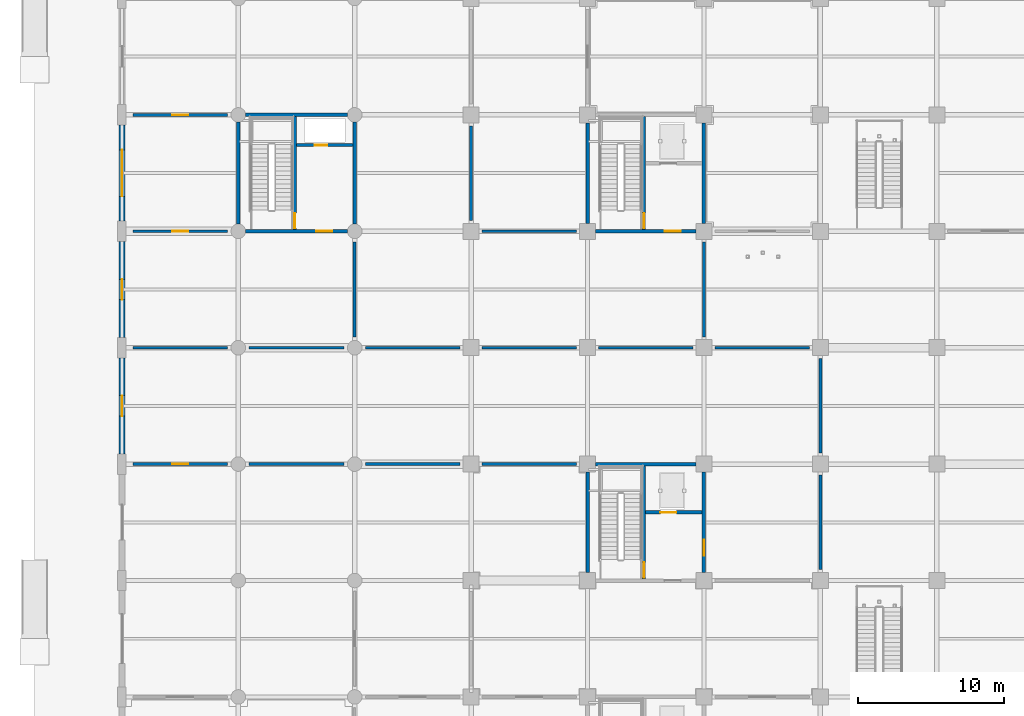
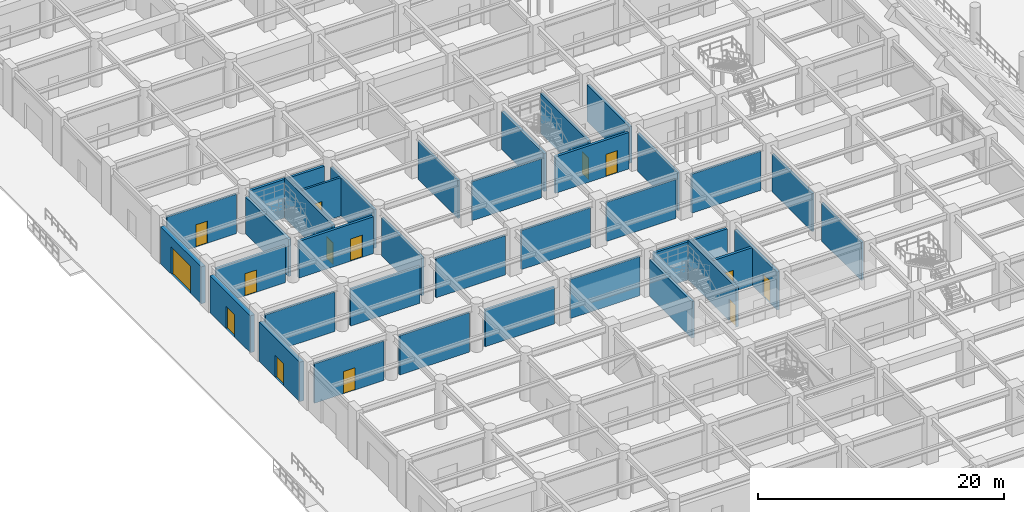
# One storey, part 78 of 125: 36 walls, 14 doors, 14 openings.
"""IFC4 building model written with IfcOpenShell, lengths in metres."""

from ifc_helpers import new_model, si_unit, direction, frame, frame_2d, origin, place, context, subcontext, project, spatial, rectangle, extrude, material, layer, layer_set, type_object, element, fill, save


model = new_model("IFC4")

# Units and contexts
model_context = context("Model", 3, precision=1e-05, world=origin(), true_north=direction((0.0, 1.0)))
body_context = subcontext(model_context, "Body", "Model", "MODEL_VIEW")
ifc_project = project(units=[si_unit("LENGTHUNIT", "METRE"), si_unit("AREAUNIT", "SQUARE_METRE"), si_unit("VOLUMEUNIT", "CUBIC_METRE"), si_unit("PLANEANGLEUNIT", "RADIAN"), si_unit("MASSUNIT", "GRAM", prefix="KILO")], contexts=[model_context])

# Site, building, storey
site_placement = place(None, origin())
site = spatial("IfcSite", under=ifc_project, at=site_placement, CompositionType="ELEMENT")
building_placement = place(site_placement, origin())
building = spatial("IfcBuilding", under=site, at=building_placement, Name="Haebicheon Civic Stadium", CompositionType="ELEMENT")
storey_placement = place(building_placement, origin())
storey = spatial("IfcBuildingStorey", under=building, at=storey_placement, Name="L01", CompositionType="ELEMENT", Elevation=0.0)

# Walls
ifc_material_1 = material(Name="Concrete C40/50", Category="concrete")
ifc_layer_1 = layer(ifc_material_1, 0.239990234375, Name="Concrete C40/50")
ifc_layer_set_1 = layer_set([ifc_layer_1], Name="Concrete C40/50")
wall_type_1 = type_object("IfcWallType", Name="CW-SHR-240", PredefinedType="SHEAR", material=ifc_layer_set_1)
wall_1_placement = place(storey_placement, frame((32.550048828125, 64.0, 0.0), z_axis=(0.0, 0.0, 1.0), x_axis=(1.0, 0.0, 0.0)))
element("IfcWall", 1, at=wall_1_placement, inside=storey, type_object=wall_type_1, material=ifc_layer_set_1, Name="KC-02 L01 north core shear wall", PredefinedType="SHEAR", context=body_context, shape_type="SweptSolid", body=[
    extrude(rectangle(XDim=6.89990234375, YDim=0.239990234375, at=frame_2d((3.449951171875, 0.0))), origin(), (0.0, 0.0, 1.0), 3.77001953125),
])
wall_2_placement = place(storey_placement, frame((32.0, 56.550048828125, 0.0), z_axis=(0.0, 0.0, 1.0), x_axis=(0.0, 1.0, 0.0)))
element("IfcWall", 2, at=wall_2_placement, inside=storey, type_object=wall_type_1, material=ifc_layer_set_1, Name="KC-02 L01 west core shear wall", PredefinedType="SHEAR", context=body_context, shape_type="SweptSolid", body=[
    extrude(rectangle(XDim=6.89990234375, YDim=0.239990234375, at=frame_2d((3.449951171875, 0.0))), origin(), (0.0, 0.0, 1.0), 3.6201171875),
])

# Wall, opening, door
wall_3_placement = place(storey_placement, frame((40.0, 56.550048828125, 0.0), z_axis=(0.0, 0.0, 1.0), x_axis=(0.0, 1.0, 0.0)))
wall_3 = element("IfcWall", 3, at=wall_3_placement, inside=storey, type_object=wall_type_1, material=ifc_layer_set_1, Name="KC-02 L01 east core shear wall", PredefinedType="SHEAR", context=body_context, shape_type="SweptSolid", body=[
    extrude(rectangle(XDim=6.89990234375, YDim=0.239990234375, at=frame_2d((3.449951171875, 0.0))), origin(), (0.0, 0.0, 1.0), 3.77001953125),
])
opening_1_placement = place(wall_3_placement, frame((1.14990234375, 0.0, 0.0)))
opening_1 = element("IfcOpeningElement", 4, at=opening_1_placement, cuts=wall_3, Name="Opening D-L01-KC-02-PXP", PredefinedType="OPENING", context=body_context, shape_type="SweptSolid", body=[
    extrude(rectangle(XDim=1.10009765625, YDim=2.199951171875, at=frame_2d((0.550048828125, 1.10009765625))), frame((0.0, 0.1298828125, 0.0), z_axis=(0.0, -1.0, 0.0), x_axis=(1.0, 0.0, 0.0)), (0.0, 0.0, 1.0), 0.260009765625),
])
ifc_material_2 = material(Name="Galvanised painted steel SM355", Category="steel")
door_type_1 = type_object("IfcDoorType", Name="ID-FD-1100", OperationType="NOTDEFINED", PredefinedType="DOOR", material=ifc_material_2)
door_1_placement = place(opening_1_placement, origin())
door_1 = element("IfcDoor", 5, at=door_1_placement, inside=storey, type_object=door_type_1, material=ifc_material_2, Name="L01 KC-02 protected exit passage fire door", OperationType="SINGLE_SWING_RIGHT", OverallHeight=2.199951171875, OverallWidth=1.10009765625, PredefinedType="DOOR", context=body_context, shape_type="SweptSolid", body=[
    extrude(rectangle(XDim=1.10009765625, YDim=2.199951171875, at=frame_2d((0.550048828125, 1.10009765625))), frame((0.0, 0.02490234375, 0.0), z_axis=(0.0, -1.0, 0.0), x_axis=(1.0, 0.0, 0.0)), (0.0, 0.0, 1.0), 0.050048828125),
])
fill(opening_1, door_1)

wall_4_placement = place(storey_placement, frame((35.8798828125, 56.1201171875, 0.0), z_axis=(0.0, 0.0, 1.0), x_axis=(0.0, 1.0, 0.0)))
wall_4 = element("IfcWall", 6, at=wall_4_placement, inside=storey, type_object=wall_type_1, material=ifc_layer_set_1, Name="KC-02 L01 stair-lobby dividing shear wall", PredefinedType="SHEAR", context=body_context, shape_type="SweptSolid", body=[
    extrude(rectangle(XDim=7.759765625, YDim=0.239990234375, at=frame_2d((3.8798828125, 0.0))), origin(), (0.0, 0.0, 1.0), 3.969970703125),
])
opening_2_placement = place(wall_4_placement, frame((0.080078125, 0.0, 0.0)))
opening_2 = element("IfcOpeningElement", 7, at=opening_2_placement, cuts=wall_4, Name="Opening D-L01-KC-02-STR", PredefinedType="OPENING", context=body_context, shape_type="SweptSolid", body=[
    extrude(rectangle(XDim=1.050048828125, YDim=2.14990234375, at=frame_2d((0.52490234375, 1.074951171875))), frame((0.0, 0.1298828125, 0.0), z_axis=(0.0, -1.0, 0.0), x_axis=(1.0, 0.0, 0.0)), (0.0, 0.0, 1.0), 0.260009765625),
])
ifc_material_3 = material(Name="Galvanised painted steel SM355", Category="steel")
door_type_2 = type_object("IfcDoorType", Name="ID-FD-1050", OperationType="NOTDEFINED", PredefinedType="DOOR", material=ifc_material_3)
door_2_placement = place(opening_2_placement, origin())
door_2 = element("IfcDoor", 8, at=door_2_placement, inside=storey, type_object=door_type_2, material=ifc_material_3, Name="L01 ST-02 stairwell escape door", OperationType="SINGLE_SWING_LEFT", OverallHeight=2.14990234375, OverallWidth=1.050048828125, PredefinedType="DOOR", context=body_context, shape_type="SweptSolid", body=[
    extrude(rectangle(XDim=1.050048828125, YDim=2.14990234375, at=frame_2d((0.52490234375, 1.074951171875))), frame((0.0, 0.02490234375, 0.0), z_axis=(0.0, -1.0, 0.0), x_axis=(1.0, 0.0, 0.0)), (0.0, 0.0, 1.0), 0.050048828125),
])
fill(opening_2, door_2)

wall_5_placement = place(storey_placement, frame((36.0, 60.679931640625, 0.0), z_axis=(0.0, 0.0, 1.0), x_axis=(1.0, 0.0, 0.0)))
wall_5 = element("IfcWall", 9, at=wall_5_placement, inside=storey, type_object=wall_type_1, material=ifc_layer_set_1, Name="KC-02 L01 lift shaft front wall", PredefinedType="SHEAR", context=body_context, shape_type="SweptSolid", body=[
    extrude(rectangle(XDim=3.8798828125, YDim=0.239990234375, at=frame_2d((1.93994140625, 0.0))), origin(), (0.0, 0.0, 1.0), 3.77001953125),
])
opening_3_placement = place(wall_5_placement, frame((1.0, 0.0, 0.0)))
opening_3 = element("IfcOpeningElement", 10, at=opening_3_placement, cuts=wall_5, Name="Opening LD-02-L01", PredefinedType="OPENING", context=body_context, shape_type="SweptSolid", body=[
    extrude(rectangle(XDim=1.10009765625, YDim=2.14990234375, at=frame_2d((0.550048828125, 1.074951171875))), frame((0.0, 0.1298828125, 0.0), z_axis=(0.0, -1.0, 0.0), x_axis=(1.0, 0.0, 0.0)), (0.0, 0.0, 1.0), 0.260009765625),
])
ifc_material_4 = material(Name="Stainless steel 316", Category="steel")
door_type_3 = type_object("IfcDoorType", Name="ID-LD-1100", OperationType="NOTDEFINED", PredefinedType="DOOR", material=ifc_material_4)
door_3_placement = place(opening_3_placement, origin())
door_3 = element("IfcDoor", 11, at=door_3_placement, inside=storey, type_object=door_type_3, material=ifc_material_4, Name="LF-02 lift landing sliding door L01", OperationType="SLIDING_TO_LEFT", OverallHeight=2.14990234375, OverallWidth=1.10009765625, PredefinedType="DOOR", context=body_context, shape_type="SweptSolid", body=[
    extrude(rectangle(XDim=1.10009765625, YDim=2.14990234375, at=frame_2d((0.550048828125, 1.074951171875))), frame((0.0, 0.02490234375, 0.0), z_axis=(0.0, -1.0, 0.0), x_axis=(1.0, 0.0, 0.0)), (0.0, 0.0, 1.0), 0.050048828125),
])
fill(opening_3, door_3)

wall_6_placement = place(storey_placement, frame((32.550048828125, 80.0, 0.0), z_axis=(0.0, 0.0, 1.0), x_axis=(1.0, 0.0, 0.0)))
wall_6 = element("IfcWall", 12, at=wall_6_placement, inside=storey, type_object=wall_type_1, material=ifc_layer_set_1, Name="KC-03 L01 south core shear wall", PredefinedType="SHEAR", context=body_context, shape_type="SweptSolid", body=[
    extrude(rectangle(XDim=6.89990234375, YDim=0.239990234375, at=frame_2d((3.449951171875, 0.0))), origin(), (0.0, 0.0, 1.0), 3.6201171875),
])
opening_4_placement = place(wall_6_placement, frame((4.75, 0.0, 0.0)))
opening_4 = element("IfcOpeningElement", 13, at=opening_4_placement, cuts=wall_6, Name="Opening D-L01-KC-03-LOB", PredefinedType="OPENING", context=body_context, shape_type="SweptSolid", body=[
    extrude(rectangle(XDim=1.10009765625, YDim=2.199951171875, at=frame_2d((0.550048828125, 1.10009765625))), frame((0.0, 0.1298828125, 0.0), z_axis=(0.0, -1.0, 0.0), x_axis=(1.0, 0.0, 0.0)), (0.0, 0.0, 1.0), 0.260009765625),
])
door_4_placement = place(opening_4_placement, origin())
door_4 = element("IfcDoor", 14, at=door_4_placement, inside=storey, type_object=door_type_1, material=ifc_material_2, Name="L01 KC-03 lobby fire door", OperationType="SINGLE_SWING_RIGHT", OverallHeight=2.199951171875, OverallWidth=1.10009765625, PredefinedType="DOOR", context=body_context, shape_type="SweptSolid", body=[
    extrude(rectangle(XDim=1.10009765625, YDim=2.199951171875, at=frame_2d((0.550048828125, 1.10009765625))), frame((0.0, 0.02490234375, 0.0), z_axis=(0.0, -1.0, 0.0), x_axis=(1.0, 0.0, 0.0)), (0.0, 0.0, 1.0), 0.050048828125),
])
fill(opening_4, door_4)

# Walls
wall_7_placement = place(storey_placement, frame((32.0, 80.550048828125, 0.0), z_axis=(0.0, 0.0, 1.0), x_axis=(0.0, 1.0, 0.0)))
element("IfcWall", 15, at=wall_7_placement, inside=storey, type_object=wall_type_1, material=ifc_layer_set_1, Name="KC-03 L01 west core shear wall", PredefinedType="SHEAR", context=body_context, shape_type="SweptSolid", body=[
    extrude(rectangle(XDim=6.89990234375, YDim=0.239990234375, at=frame_2d((3.449951171875, 0.0))), origin(), (0.0, 0.0, 1.0), 3.77001953125),
])
wall_8_placement = place(storey_placement, frame((40.0, 80.550048828125, 0.0), z_axis=(0.0, 0.0, 1.0), x_axis=(0.0, 1.0, 0.0)))
element("IfcWall", 16, at=wall_8_placement, inside=storey, type_object=wall_type_1, material=ifc_layer_set_1, Name="KC-03 L01 east core shear wall", PredefinedType="SHEAR", context=body_context, shape_type="SweptSolid", body=[
    extrude(rectangle(XDim=6.89990234375, YDim=0.239990234375, at=frame_2d((3.449951171875, 0.0))), origin(), (0.0, 0.0, 1.0), 3.6201171875),
])

# Wall, opening, door
wall_9_placement = place(storey_placement, frame((35.8798828125, 80.1201171875, 0.0), z_axis=(0.0, 0.0, 1.0), x_axis=(0.0, 1.0, 0.0)))
wall_9 = element("IfcWall", 17, at=wall_9_placement, inside=storey, type_object=wall_type_1, material=ifc_layer_set_1, Name="KC-03 L01 stair-lobby dividing shear wall", PredefinedType="SHEAR", context=body_context, shape_type="SweptSolid", body=[
    extrude(rectangle(XDim=7.759765625, YDim=0.239990234375, at=frame_2d((3.8798828125, 0.0))), origin(), (0.0, 0.0, 1.0), 3.969970703125),
])
opening_5_placement = place(wall_9_placement, frame((0.080078125, 0.0, 0.0)))
opening_5 = element("IfcOpeningElement", 18, at=opening_5_placement, cuts=wall_9, Name="Opening D-L01-KC-03-STR", PredefinedType="OPENING", context=body_context, shape_type="SweptSolid", body=[
    extrude(rectangle(XDim=1.050048828125, YDim=2.14990234375, at=frame_2d((0.52490234375, 1.074951171875))), frame((0.0, 0.1298828125, 0.0), z_axis=(0.0, -1.0, 0.0), x_axis=(1.0, 0.0, 0.0)), (0.0, 0.0, 1.0), 0.260009765625),
])
door_5_placement = place(opening_5_placement, origin())
door_5 = element("IfcDoor", 19, at=door_5_placement, inside=storey, type_object=door_type_2, material=ifc_material_3, Name="L01 ST-03 stairwell escape door", OperationType="SINGLE_SWING_LEFT", OverallHeight=2.14990234375, OverallWidth=1.050048828125, PredefinedType="DOOR", context=body_context, shape_type="SweptSolid", body=[
    extrude(rectangle(XDim=1.050048828125, YDim=2.14990234375, at=frame_2d((0.52490234375, 1.074951171875))), frame((0.0, 0.02490234375, 0.0), z_axis=(0.0, -1.0, 0.0), x_axis=(1.0, 0.0, 0.0)), (0.0, 0.0, 1.0), 0.050048828125),
])
fill(opening_5, door_5)

wall_10_placement = place(storey_placement, frame((8.5, 80.0, 0.0), z_axis=(0.0, 0.0, 1.0), x_axis=(1.0, 0.0, 0.0)))
wall_10 = element("IfcWall", 20, at=wall_10_placement, inside=storey, type_object=wall_type_1, material=ifc_layer_set_1, Name="KC-15 L01 south core shear wall", PredefinedType="SHEAR", context=body_context, shape_type="SweptSolid", body=[
    extrude(rectangle(XDim=7.0, YDim=0.239990234375, at=frame_2d((3.5, 0.0))), origin(), (0.0, 0.0, 1.0), 3.659912109375),
])
opening_6_placement = place(wall_10_placement, frame((4.85009765625, 0.0, 0.0)))
opening_6 = element("IfcOpeningElement", 21, at=opening_6_placement, cuts=wall_10, Name="Opening D-L01-KC-15-LOB", PredefinedType="OPENING", context=body_context, shape_type="SweptSolid", body=[
    extrude(rectangle(XDim=1.10009765625, YDim=2.199951171875, at=frame_2d((0.550048828125, 1.10009765625))), frame((0.0, 0.1298828125, 0.0), z_axis=(0.0, -1.0, 0.0), x_axis=(1.0, 0.0, 0.0)), (0.0, 0.0, 1.0), 0.260009765625),
])
door_6_placement = place(opening_6_placement, origin())
door_6 = element("IfcDoor", 22, at=door_6_placement, inside=storey, type_object=door_type_1, material=ifc_material_2, Name="L01 KC-15 lobby fire door", OperationType="SINGLE_SWING_LEFT", OverallHeight=2.199951171875, OverallWidth=1.10009765625, PredefinedType="DOOR", context=body_context, shape_type="SweptSolid", body=[
    extrude(rectangle(XDim=1.10009765625, YDim=2.199951171875, at=frame_2d((0.550048828125, 1.10009765625))), frame((0.0, 0.02490234375, 0.0), z_axis=(0.0, -1.0, 0.0), x_axis=(1.0, 0.0, 0.0)), (0.0, 0.0, 1.0), 0.050048828125),
])
fill(opening_6, door_6)

# Walls
wall_11_placement = place(storey_placement, frame((8.5, 88.0, 0.0), z_axis=(0.0, 0.0, 1.0), x_axis=(1.0, 0.0, 0.0)))
element("IfcWall", 23, at=wall_11_placement, inside=storey, type_object=wall_type_1, material=ifc_layer_set_1, Name="KC-15 L01 north core shear wall", PredefinedType="SHEAR", context=body_context, shape_type="SweptSolid", body=[
    extrude(rectangle(XDim=7.0, YDim=0.239990234375, at=frame_2d((3.5, 0.0))), origin(), (0.0, 0.0, 1.0), 3.81005859375),
])
wall_12_placement = place(storey_placement, frame((8.0, 80.5, 0.0), z_axis=(0.0, 0.0, 1.0), x_axis=(0.0, 1.0, 0.0)))
element("IfcWall", 24, at=wall_12_placement, inside=storey, type_object=wall_type_1, material=ifc_layer_set_1, Name="KC-15 L01 west core shear wall", PredefinedType="SHEAR", context=body_context, shape_type="SweptSolid", body=[
    extrude(rectangle(XDim=7.0, YDim=0.239990234375, at=frame_2d((3.5, 0.0))), origin(), (0.0, 0.0, 1.0), 3.659912109375),
])
wall_13_placement = place(storey_placement, frame((16.0, 80.5, 0.0), z_axis=(0.0, 0.0, 1.0), x_axis=(0.0, 1.0, 0.0)))
element("IfcWall", 25, at=wall_13_placement, inside=storey, type_object=wall_type_1, material=ifc_layer_set_1, Name="KC-15 L01 east core shear wall", PredefinedType="SHEAR", context=body_context, shape_type="SweptSolid", body=[
    extrude(rectangle(XDim=7.0, YDim=0.239990234375, at=frame_2d((3.5, 0.0))), origin(), (0.0, 0.0, 1.0), 3.81005859375),
])

# Wall, opening, door
wall_14_placement = place(storey_placement, frame((11.8798828125, 80.1201171875, 0.0), z_axis=(0.0, 0.0, 1.0), x_axis=(0.0, 1.0, 0.0)))
wall_14 = element("IfcWall", 26, at=wall_14_placement, inside=storey, type_object=wall_type_1, material=ifc_layer_set_1, Name="KC-15 L01 stair-lobby dividing shear wall", PredefinedType="SHEAR", context=body_context, shape_type="SweptSolid", body=[
    extrude(rectangle(XDim=7.759765625, YDim=0.239990234375, at=frame_2d((3.8798828125, 0.0))), origin(), (0.0, 0.0, 1.0), 4.010009765625),
])
opening_7_placement = place(wall_14_placement, frame((0.080078125, 0.0, 0.0)))
opening_7 = element("IfcOpeningElement", 27, at=opening_7_placement, cuts=wall_14, Name="Opening D-L01-KC-15-STR", PredefinedType="OPENING", context=body_context, shape_type="SweptSolid", body=[
    extrude(rectangle(XDim=1.050048828125, YDim=2.14990234375, at=frame_2d((0.52490234375, 1.074951171875))), frame((0.0, 0.1298828125, 0.0), z_axis=(0.0, -1.0, 0.0), x_axis=(1.0, 0.0, 0.0)), (0.0, 0.0, 1.0), 0.260009765625),
])
door_7_placement = place(opening_7_placement, origin())
door_7 = element("IfcDoor", 28, at=door_7_placement, inside=storey, type_object=door_type_2, material=ifc_material_3, Name="L01 ST-15 stairwell escape door", OperationType="SINGLE_SWING_RIGHT", OverallHeight=2.14990234375, OverallWidth=1.050048828125, PredefinedType="DOOR", context=body_context, shape_type="SweptSolid", body=[
    extrude(rectangle(XDim=1.050048828125, YDim=2.14990234375, at=frame_2d((0.52490234375, 1.074951171875))), frame((0.0, 0.02490234375, 0.0), z_axis=(0.0, -1.0, 0.0), x_axis=(1.0, 0.0, 0.0)), (0.0, 0.0, 1.0), 0.050048828125),
])
fill(opening_7, door_7)

ifc_material_5 = material(Name="Concrete C40/50", Category="concrete")
ifc_layer_2 = layer(ifc_material_5, 0.39990234375, Name="Concrete C40/50")
ifc_layer_set_2 = layer_set([ifc_layer_2], Name="Concrete C40/50")
wall_type_2 = type_object("IfcWallType", Name="EW-BM-400", PredefinedType="SOLIDWALL", material=ifc_layer_set_2)
wall_15_placement = place(storey_placement, frame((0.0, 64.699951171875, 0.0), z_axis=(0.0, 0.0, 1.0), x_axis=(0.0, 1.0, 0.0)))
wall_15 = element("IfcWall", 29, at=wall_15_placement, inside=storey, type_object=wall_type_2, material=ifc_layer_set_2, Name="L01 board-marked concrete facade wall 00-08-W", PredefinedType="SOLIDWALL", context=body_context, shape_type="SweptSolid", body=[
    extrude(rectangle(XDim=6.60009765625, YDim=0.39990234375, at=frame_2d((3.300048828125, 0.0))), origin(), (0.0, 0.0, 1.0), 3.909912109375),
])
opening_8_placement = place(wall_15_placement, frame((2.60009765625, 0.0, 0.0)))
opening_8 = element("IfcOpeningElement", 30, at=opening_8_placement, cuts=wall_15, Name="Opening DX12", PredefinedType="OPENING", context=body_context, shape_type="SweptSolid", body=[
    extrude(rectangle(XDim=1.39990234375, YDim=2.199951171875, at=frame_2d((0.699951171875, 1.10009765625))), frame((0.0, 0.2099609375, 0.0), z_axis=(0.0, -1.0, 0.0), x_axis=(1.0, 0.0, 0.0)), (0.0, 0.0, 1.0), 0.419921875),
])
ifc_material_6 = material(Name="Galvanised painted steel SM355", Category="steel")
door_type_4 = type_object("IfcDoorType", Name="ED-EXIT-1400", OperationType="NOTDEFINED", PredefinedType="DOOR", material=ifc_material_6)
door_8_placement = place(opening_8_placement, origin())
door_8 = element("IfcDoor", 31, at=door_8_placement, inside=storey, type_object=door_type_4, material=ifc_material_6, Name="Protected exit passage final exit door DX12", OperationType="SINGLE_SWING_LEFT", OverallHeight=2.199951171875, OverallWidth=1.39990234375, PredefinedType="DOOR", context=body_context, shape_type="SweptSolid", body=[
    extrude(rectangle(XDim=1.39990234375, YDim=2.199951171875, at=frame_2d((0.699951171875, 1.10009765625))), frame((0.0, 0.02490234375, 0.0), z_axis=(0.0, -1.0, 0.0), x_axis=(1.0, 0.0, 0.0)), (0.0, 0.0, 1.0), 0.050048828125),
])
fill(opening_8, door_8)

wall_16_placement = place(storey_placement, frame((0.0, 72.699951171875, 0.0), z_axis=(0.0, 0.0, 1.0), x_axis=(0.0, 1.0, 0.0)))
wall_16 = element("IfcWall", 32, at=wall_16_placement, inside=storey, type_object=wall_type_2, material=ifc_layer_set_2, Name="L01 board-marked concrete facade wall 00-09-W", PredefinedType="SOLIDWALL", context=body_context, shape_type="SweptSolid", body=[
    extrude(rectangle(XDim=6.60009765625, YDim=0.39990234375, at=frame_2d((3.300048828125, 0.0))), origin(), (0.0, 0.0, 1.0), 3.659912109375),
])
opening_9_placement = place(wall_16_placement, frame((2.60009765625, 0.0, 0.0)))
opening_9 = element("IfcOpeningElement", 33, at=opening_9_placement, cuts=wall_16, Name="Opening DX10", PredefinedType="OPENING", context=body_context, shape_type="SweptSolid", body=[
    extrude(rectangle(XDim=1.39990234375, YDim=2.199951171875, at=frame_2d((0.699951171875, 1.10009765625))), frame((0.0, 0.2099609375, 0.0), z_axis=(0.0, -1.0, 0.0), x_axis=(1.0, 0.0, 0.0)), (0.0, 0.0, 1.0), 0.419921875),
])
door_9_placement = place(opening_9_placement, origin())
door_9 = element("IfcDoor", 34, at=door_9_placement, inside=storey, type_object=door_type_4, material=ifc_material_6, Name="Protected exit passage final exit door DX10", OperationType="SINGLE_SWING_LEFT", OverallHeight=2.199951171875, OverallWidth=1.39990234375, PredefinedType="DOOR", context=body_context, shape_type="SweptSolid", body=[
    extrude(rectangle(XDim=1.39990234375, YDim=2.199951171875, at=frame_2d((0.699951171875, 1.10009765625))), frame((0.0, 0.02490234375, 0.0), z_axis=(0.0, -1.0, 0.0), x_axis=(1.0, 0.0, 0.0)), (0.0, 0.0, 1.0), 0.050048828125),
])
fill(opening_9, door_9)

wall_17_placement = place(storey_placement, frame((0.0, 80.699951171875, 0.0), z_axis=(0.0, 0.0, 1.0), x_axis=(0.0, 1.0, 0.0)))
wall_17 = element("IfcWall", 35, at=wall_17_placement, inside=storey, type_object=wall_type_2, material=ifc_layer_set_2, Name="L01 board-marked concrete facade wall 00-10-W", PredefinedType="SOLIDWALL", context=body_context, shape_type="SweptSolid", body=[
    extrude(rectangle(XDim=6.60009765625, YDim=0.39990234375, at=frame_2d((3.300048828125, 0.0))), origin(), (0.0, 0.0, 1.0), 3.659912109375),
])
opening_10_placement = place(wall_17_placement, frame((1.699951171875, 0.0, 0.0)))
opening_10 = element("IfcOpeningElement", 36, at=opening_10_placement, cuts=wall_17, Name="Opening E02", PredefinedType="OPENING", context=body_context, shape_type="SweptSolid", body=[
    extrude(rectangle(XDim=3.199951171875, YDim=2.699951171875, at=frame_2d((1.60009765625, 1.35009765625))), frame((0.0, 0.2099609375, 0.0), z_axis=(0.0, -1.0, 0.0), x_axis=(1.0, 0.0, 0.0)), (0.0, 0.0, 1.0), 0.419921875),
])
ifc_material_7 = material(Name="Anodised aluminium and laminated glass", Category="aluminium")
door_type_5 = type_object("IfcDoorType", Name="ED-MAIN-3200", OperationType="NOTDEFINED", PredefinedType="DOOR", material=ifc_material_7)
door_10_placement = place(opening_10_placement, origin())
door_10 = element("IfcDoor", 37, at=door_10_placement, inside=storey, type_object=door_type_5, material=ifc_material_7, Name="Main entrance E2", OperationType="DOUBLE_SWING_LEFT", OverallHeight=2.699951171875, OverallWidth=3.199951171875, PredefinedType="DOOR", context=body_context, shape_type="SweptSolid", body=[
    extrude(rectangle(XDim=3.199951171875, YDim=2.699951171875, at=frame_2d((1.60009765625, 1.35009765625))), frame((0.0, 0.02490234375, 0.0), z_axis=(0.0, -1.0, 0.0), x_axis=(1.0, 0.0, 0.0)), (0.0, 0.0, 1.0), 0.050048828125),
])
fill(opening_10, door_10)

ifc_material_8 = material(Name="Concrete C35/45", Category="concrete")
ifc_layer_3 = layer(ifc_material_8, 0.199951171875, Name="Concrete C35/45")
ifc_layer_set_3 = layer_set([ifc_layer_3], Name="Concrete C35/45")
wall_type_3 = type_object("IfcWallType", Name="IW-FIR-200", PredefinedType="PARTITIONING", material=ifc_layer_set_3)
wall_18_placement = place(storey_placement, frame((12.0, 85.919921875, 0.0), z_axis=(0.0, 0.0, 1.0), x_axis=(1.0, 0.0, 0.0)))
wall_18 = element("IfcWall", 38, at=wall_18_placement, inside=storey, type_object=wall_type_3, material=ifc_layer_set_3, Name="KC-15 L01 service riser wall", PredefinedType="PARTITIONING", context=body_context, shape_type="SweptSolid", body=[
    extrude(rectangle(XDim=3.8798828125, YDim=0.199951171875, at=frame_2d((1.93994140625, 0.0))), origin(), (0.0, 0.0, 1.0), 3.81005859375),
])
opening_11_placement = place(wall_18_placement, frame((1.25, 0.0, 0.0)))
opening_11 = element("IfcOpeningElement", 39, at=opening_11_placement, cuts=wall_18, Name="Opening D-L01-KC-15-RSR", PredefinedType="OPENING", context=body_context, shape_type="SweptSolid", body=[
    extrude(rectangle(XDim=0.85009765625, YDim=2.050048828125, at=frame_2d((0.425048828125, 1.02490234375))), frame((0.0, 0.10986328125, 0.0), z_axis=(0.0, -1.0, 0.0), x_axis=(1.0, 0.0, 0.0)), (0.0, 0.0, 1.0), 0.219970703125),
])
ifc_material_9 = material(Name="Galvanised painted steel SM355", Category="steel")
door_type_6 = type_object("IfcDoorType", Name="ID-RSR-0850", OperationType="NOTDEFINED", PredefinedType="TRAPDOOR", material=ifc_material_9)
door_11_placement = place(opening_11_placement, origin())
door_11 = element("IfcDoor", 40, at=door_11_placement, inside=storey, type_object=door_type_6, material=ifc_material_9, Name="L01 KC-15 riser access door", OperationType="SINGLE_SWING_LEFT", OverallHeight=2.050048828125, OverallWidth=0.85009765625, PredefinedType="TRAPDOOR", context=body_context, shape_type="SweptSolid", body=[
    extrude(rectangle(XDim=0.85009765625, YDim=2.050048828125, at=frame_2d((0.425048828125, 1.02490234375))), frame((0.0, 0.02490234375, 0.0), z_axis=(0.0, -1.0, 0.0), x_axis=(1.0, 0.0, 0.0)), (0.0, 0.0, 1.0), 0.050048828125),
])
fill(opening_11, door_11)

# Wall
wall_19_placement = place(storey_placement, frame((0.75, 72.0, 0.0), z_axis=(0.0, 0.0, 1.0), x_axis=(1.0, 0.0, 0.0)))
element("IfcWall", 41, at=wall_19_placement, inside=storey, type_object=wall_type_3, material=ifc_layer_set_3, Name="L01 KC-15 protected exit passage EI 120 wall 01", PredefinedType="PARTITIONING", context=body_context, shape_type="SweptSolid", body=[
    extrude(rectangle(XDim=6.5, YDim=0.199951171875, at=frame_2d((3.25, 0.0))), origin(), (0.0, 0.0, 1.0), 3.909912109375),
])

# Wall, opening, door
wall_20_placement = place(storey_placement, frame((0.75, 80.0, 0.0), z_axis=(0.0, 0.0, 1.0), x_axis=(1.0, 0.0, 0.0)))
wall_20 = element("IfcWall", 42, at=wall_20_placement, inside=storey, type_object=wall_type_3, material=ifc_layer_set_3, Name="L01 KC-15 protected exit passage EI 120 wall 02", PredefinedType="PARTITIONING", context=body_context, shape_type="SweptSolid", body=[
    extrude(rectangle(XDim=6.5, YDim=0.199951171875, at=frame_2d((3.25, 0.0))), origin(), (0.0, 0.0, 1.0), 3.659912109375),
])
opening_12_placement = place(wall_20_placement, frame((2.699951171875, 0.0, 0.0)))
opening_12 = element("IfcOpeningElement", 43, at=opening_12_placement, cuts=wall_20, Name="Opening D-L01-PXP-10", PredefinedType="OPENING", context=body_context, shape_type="SweptSolid", body=[
    extrude(rectangle(XDim=1.10009765625, YDim=2.199951171875, at=frame_2d((0.550048828125, 1.10009765625))), frame((0.0, 0.10986328125, 0.0), z_axis=(0.0, -1.0, 0.0), x_axis=(1.0, 0.0, 0.0)), (0.0, 0.0, 1.0), 0.219970703125),
])
door_12_placement = place(opening_12_placement, origin())
door_12 = element("IfcDoor", 44, at=door_12_placement, inside=storey, type_object=door_type_1, material=ifc_material_2, Name="L01 KC-15 protected exit passage lobby fire door", OperationType="SINGLE_SWING_RIGHT", OverallHeight=2.199951171875, OverallWidth=1.10009765625, PredefinedType="DOOR", context=body_context, shape_type="SweptSolid", body=[
    extrude(rectangle(XDim=1.10009765625, YDim=2.199951171875, at=frame_2d((0.550048828125, 1.10009765625))), frame((0.0, 0.02490234375, 0.0), z_axis=(0.0, -1.0, 0.0), x_axis=(1.0, 0.0, 0.0)), (0.0, 0.0, 1.0), 0.050048828125),
])
fill(opening_12, door_12)

# Walls
wall_21_placement = place(storey_placement, frame((16.0, 72.75, 0.0), z_axis=(0.0, 0.0, 1.0), x_axis=(0.0, 1.0, 0.0)))
element("IfcWall", 45, at=wall_21_placement, inside=storey, type_object=wall_type_3, material=ifc_layer_set_3, Name="L01 KC-15 protected exit passage EI 120 wall 03", PredefinedType="PARTITIONING", context=body_context, shape_type="SweptSolid", body=[
    extrude(rectangle(XDim=6.5, YDim=0.199951171875, at=frame_2d((3.25, 0.0))), origin(), (0.0, 0.0, 1.0), 3.81005859375),
])
wall_22_placement = place(storey_placement, frame((8.75, 72.0, 0.0), z_axis=(0.0, 0.0, 1.0), x_axis=(1.0, 0.0, 0.0)))
element("IfcWall", 46, at=wall_22_placement, inside=storey, type_object=wall_type_3, material=ifc_layer_set_3, Name="L01 KC-15 protected exit passage EI 120 wall 04", PredefinedType="PARTITIONING", context=body_context, shape_type="SweptSolid", body=[
    extrude(rectangle(XDim=6.5, YDim=0.199951171875, at=frame_2d((3.25, 0.0))), origin(), (0.0, 0.0, 1.0), 3.659912109375),
])

# Wall, opening, door
wall_23_placement = place(storey_placement, frame((0.75, 64.0, 0.0), z_axis=(0.0, 0.0, 1.0), x_axis=(1.0, 0.0, 0.0)))
wall_23 = element("IfcWall", 47, at=wall_23_placement, inside=storey, type_object=wall_type_3, material=ifc_layer_set_3, Name="L01 KC-02 protected exit passage EI 120 wall 01", PredefinedType="PARTITIONING", context=body_context, shape_type="SweptSolid", body=[
    extrude(rectangle(XDim=6.5, YDim=0.199951171875, at=frame_2d((3.25, 0.0))), origin(), (0.0, 0.0, 1.0), 3.909912109375),
])
opening_13_placement = place(wall_23_placement, frame((2.699951171875, 0.0, 0.0)))
opening_13 = element("IfcOpeningElement", 48, at=opening_13_placement, cuts=wall_23, Name="Opening D-L01-PXP-12", PredefinedType="OPENING", context=body_context, shape_type="SweptSolid", body=[
    extrude(rectangle(XDim=1.10009765625, YDim=2.199951171875, at=frame_2d((0.550048828125, 1.10009765625))), frame((0.0, 0.10986328125, 0.0), z_axis=(0.0, -1.0, 0.0), x_axis=(1.0, 0.0, 0.0)), (0.0, 0.0, 1.0), 0.219970703125),
])
door_13_placement = place(opening_13_placement, origin())
door_13 = element("IfcDoor", 49, at=door_13_placement, inside=storey, type_object=door_type_1, material=ifc_material_2, Name="L01 KC-02 protected exit passage lobby fire door", OperationType="SINGLE_SWING_RIGHT", OverallHeight=2.199951171875, OverallWidth=1.10009765625, PredefinedType="DOOR", context=body_context, shape_type="SweptSolid", body=[
    extrude(rectangle(XDim=1.10009765625, YDim=2.199951171875, at=frame_2d((0.550048828125, 1.10009765625))), frame((0.0, 0.02490234375, 0.0), z_axis=(0.0, -1.0, 0.0), x_axis=(1.0, 0.0, 0.0)), (0.0, 0.0, 1.0), 0.050048828125),
])
fill(opening_13, door_13)

# Walls
wall_24_placement = place(storey_placement, frame((8.75, 64.0, 0.0), z_axis=(0.0, 0.0, 1.0), x_axis=(1.0, 0.0, 0.0)))
element("IfcWall", 50, at=wall_24_placement, inside=storey, type_object=wall_type_3, material=ifc_layer_set_3, Name="L01 KC-02 protected exit passage EI 120 wall 03", PredefinedType="PARTITIONING", context=body_context, shape_type="SweptSolid", body=[
    extrude(rectangle(XDim=6.5, YDim=0.199951171875, at=frame_2d((3.25, 0.0))), origin(), (0.0, 0.0, 1.0), 3.909912109375),
])
wall_25_placement = place(storey_placement, frame((16.75, 64.0, 0.0), z_axis=(0.0, 0.0, 1.0), x_axis=(1.0, 0.0, 0.0)))
element("IfcWall", 51, at=wall_25_placement, inside=storey, type_object=wall_type_3, material=ifc_layer_set_3, Name="L01 KC-02 protected exit passage EI 120 wall 05", PredefinedType="PARTITIONING", context=body_context, shape_type="SweptSolid", body=[
    extrude(rectangle(XDim=6.5, YDim=0.199951171875, at=frame_2d((3.25, 0.0))), origin(), (0.0, 0.0, 1.0), 3.659912109375),
])
wall_26_placement = place(storey_placement, frame((16.75, 72.0, 0.0), z_axis=(0.0, 0.0, 1.0), x_axis=(1.0, 0.0, 0.0)))
element("IfcWall", 52, at=wall_26_placement, inside=storey, type_object=wall_type_3, material=ifc_layer_set_3, Name="L01 KC-02 protected exit passage EI 120 wall 06", PredefinedType="PARTITIONING", context=body_context, shape_type="SweptSolid", body=[
    extrude(rectangle(XDim=6.5, YDim=0.199951171875, at=frame_2d((3.25, 0.0))), origin(), (0.0, 0.0, 1.0), 3.909912109375),
])
for number, where, z_axis, x_axis, name in (
    (53, (24.75, 64.0, 0.0), (0.0, 0.0, 1.0), (1.0, 0.0, 0.0), "L01 KC-02 protected exit passage EI 120 wall 07"),
    (54, (24.75, 72.0, 0.0), (0.0, 0.0, 1.0), (1.0, 0.0, 0.0), "L01 KC-02 protected exit passage EI 120 wall 08"),
    (55, (32.75, 72.0, 0.0), (0.0, 0.0, 1.0), (1.0, 0.0, 0.0), "L01 KC-02 protected exit passage EI 120 wall 09"),
):
    element("IfcWall", number, at=place(storey_placement, frame(where, z_axis=z_axis, x_axis=x_axis)), inside=storey, type_object=wall_type_3, material=ifc_layer_set_3, Name=name, PredefinedType="PARTITIONING", context=body_context, shape_type="SweptSolid", body=[
        extrude(rectangle(XDim=6.5, YDim=0.199951171875, at=frame_2d((3.25, 0.0))), origin(), (0.0, 0.0, 1.0), 3.8701171875),
    ])
for number, where, z_axis, x_axis, name in (
    (56, (48.0, 56.75, 0.0), (0.0, 0.0, 1.0), (0.0, 1.0, 0.0), "L01 KC-02 protected exit passage EI 120 wall 10"),
    (57, (48.0, 64.75, 0.0), (0.0, 0.0, 1.0), (0.0, 1.0, 0.0), "L01 KC-02 protected exit passage EI 120 wall 12"),
):
    element("IfcWall", number, at=place(storey_placement, frame(where, z_axis=z_axis, x_axis=x_axis)), inside=storey, type_object=wall_type_3, material=ifc_layer_set_3, Name=name, PredefinedType="PARTITIONING", context=body_context, shape_type="SweptSolid", body=[
        extrude(rectangle(XDim=6.5, YDim=0.199951171875, at=frame_2d((3.25, 0.0))), origin(), (0.0, 0.0, 1.0), 3.77001953125),
    ])
wall_27_placement = place(storey_placement, frame((40.75, 72.0, 0.0), z_axis=(0.0, 0.0, 1.0), x_axis=(1.0, 0.0, 0.0)))
element("IfcWall", 58, at=wall_27_placement, inside=storey, type_object=wall_type_3, material=ifc_layer_set_3, Name="L01 KC-02 protected exit passage EI 120 wall 13", PredefinedType="PARTITIONING", context=body_context, shape_type="SweptSolid", body=[
    extrude(rectangle(XDim=6.5, YDim=0.199951171875, at=frame_2d((3.25, 0.0))), origin(), (0.0, 0.0, 1.0), 3.8701171875),
])

# Wall, opening, door
wall_28_placement = place(storey_placement, frame((0.75, 88.0, 0.0), z_axis=(0.0, 0.0, 1.0), x_axis=(1.0, 0.0, 0.0)))
wall_28 = element("IfcWall", 59, at=wall_28_placement, inside=storey, type_object=wall_type_3, material=ifc_layer_set_3, Name="L01 KC-03 protected exit passage EI 120 wall 01", PredefinedType="PARTITIONING", context=body_context, shape_type="SweptSolid", body=[
    extrude(rectangle(XDim=6.5, YDim=0.199951171875, at=frame_2d((3.25, 0.0))), origin(), (0.0, 0.0, 1.0), 3.909912109375),
])
opening_14_placement = place(wall_28_placement, frame((2.699951171875, 0.0, 0.0)))
opening_14 = element("IfcOpeningElement", 60, at=opening_14_placement, cuts=wall_28, Name="Opening D-L01-PXP-16", PredefinedType="OPENING", context=body_context, shape_type="SweptSolid", body=[
    extrude(rectangle(XDim=1.10009765625, YDim=2.199951171875, at=frame_2d((0.550048828125, 1.10009765625))), frame((0.0, 0.10986328125, 0.0), z_axis=(0.0, -1.0, 0.0), x_axis=(1.0, 0.0, 0.0)), (0.0, 0.0, 1.0), 0.219970703125),
])
door_14_placement = place(opening_14_placement, origin())
door_14 = element("IfcDoor", 61, at=door_14_placement, inside=storey, type_object=door_type_1, material=ifc_material_2, Name="L01 KC-03 protected exit passage lobby fire door", OperationType="SINGLE_SWING_RIGHT", OverallHeight=2.199951171875, OverallWidth=1.10009765625, PredefinedType="DOOR", context=body_context, shape_type="SweptSolid", body=[
    extrude(rectangle(XDim=1.10009765625, YDim=2.199951171875, at=frame_2d((0.550048828125, 1.10009765625))), frame((0.0, 0.02490234375, 0.0), z_axis=(0.0, -1.0, 0.0), x_axis=(1.0, 0.0, 0.0)), (0.0, 0.0, 1.0), 0.050048828125),
])
fill(opening_14, door_14)

# Walls
wall_29_placement = place(storey_placement, frame((24.0, 80.75, 0.0), z_axis=(0.0, 0.0, 1.0), x_axis=(0.0, 1.0, 0.0)))
element("IfcWall", 62, at=wall_29_placement, inside=storey, type_object=wall_type_3, material=ifc_layer_set_3, Name="L01 KC-03 protected exit passage EI 120 wall 06", PredefinedType="PARTITIONING", context=body_context, shape_type="SweptSolid", body=[
    extrude(rectangle(XDim=6.5, YDim=0.199951171875, at=frame_2d((3.25, 0.0))), origin(), (0.0, 0.0, 1.0), 3.77001953125),
])
wall_30_placement = place(storey_placement, frame((24.75, 80.0, 0.0), z_axis=(0.0, 0.0, 1.0), x_axis=(1.0, 0.0, 0.0)))
element("IfcWall", 63, at=wall_30_placement, inside=storey, type_object=wall_type_3, material=ifc_layer_set_3, Name="L01 KC-03 protected exit passage EI 120 wall 10", PredefinedType="PARTITIONING", context=body_context, shape_type="SweptSolid", body=[
    extrude(rectangle(XDim=6.5, YDim=0.199951171875, at=frame_2d((3.25, 0.0))), origin(), (0.0, 0.0, 1.0), 3.8701171875),
])
wall_31_placement = place(storey_placement, frame((40.0, 72.75, 0.0), z_axis=(0.0, 0.0, 1.0), x_axis=(0.0, 1.0, 0.0)))
element("IfcWall", 64, at=wall_31_placement, inside=storey, type_object=wall_type_3, material=ifc_layer_set_3, Name="L01 KC-03 protected exit passage EI 120 wall 11", PredefinedType="PARTITIONING", context=body_context, shape_type="SweptSolid", body=[
    extrude(rectangle(XDim=6.5, YDim=0.199951171875, at=frame_2d((3.25, 0.0))), origin(), (0.0, 0.0, 1.0), 3.77001953125),
])

save(model, "model.ifc")
